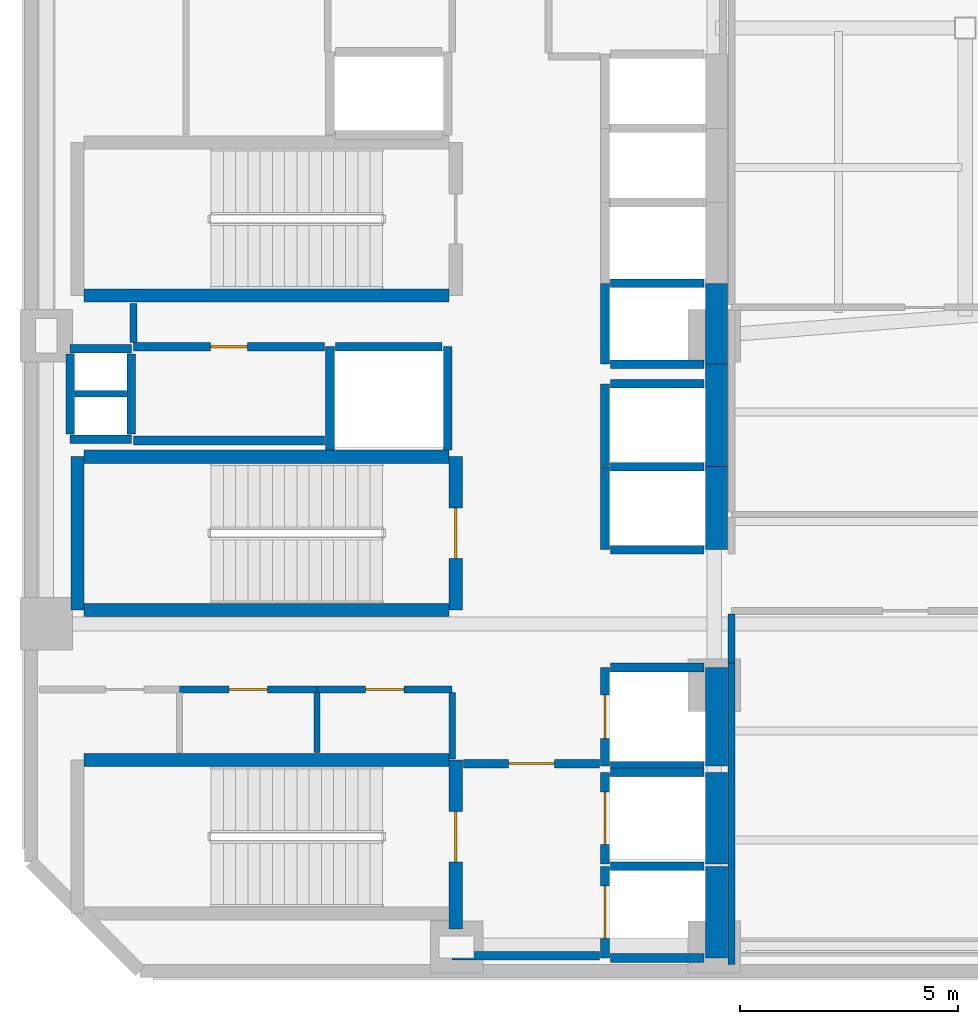
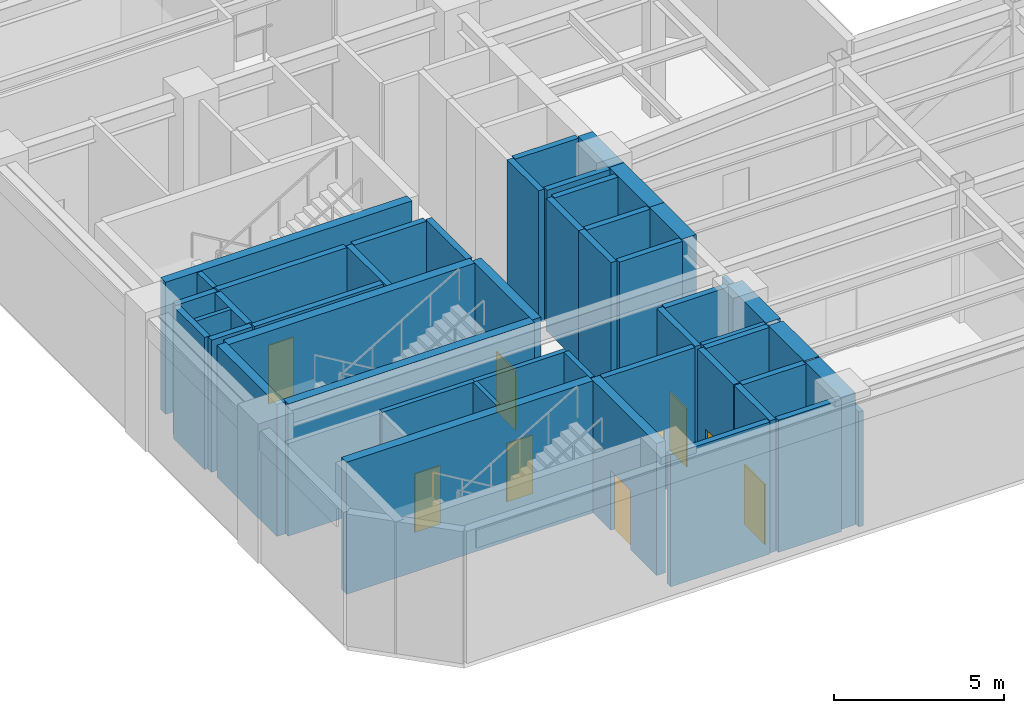
# One storey, part 3 of 9: 48 walls, 9 doors, 9 openings.
"""IFC4 building model written with IfcOpenShell, lengths in metres."""

from ifc_helpers import new_model, si_unit, direction, frame, frame_2d, origin, place, context, subcontext, project, spatial, rectangle, extrude, material, layer, layer_set, type_object, element, fill, save


model = new_model("IFC4")

# Units and contexts
model_context = context("Model", 3, precision=1e-05, world=origin(), true_north=direction((0.0, 1.0)))
body_context = subcontext(model_context, "Body", "Model", "MODEL_VIEW")
ifc_project = project(units=[si_unit("LENGTHUNIT", "METRE"), si_unit("AREAUNIT", "SQUARE_METRE"), si_unit("VOLUMEUNIT", "CUBIC_METRE"), si_unit("PLANEANGLEUNIT", "RADIAN"), si_unit("MASSUNIT", "GRAM", prefix="KILO")], contexts=[model_context])

# Site, building, storey
site_placement = place(None, origin())
site = spatial("IfcSite", under=ifc_project, at=site_placement, CompositionType="ELEMENT")
building_placement = place(site_placement, origin())
building = spatial("IfcBuilding", under=site, at=building_placement, Name="Mawjaban Terraces University", CompositionType="ELEMENT")
storey_placement = place(building_placement, frame((0.0, 0.0, 165.800048828125)))
storey = spatial("IfcBuildingStorey", under=building, at=storey_placement, Name="L40", CompositionType="ELEMENT", Elevation=165.800048828125)

# Walls
ifc_material_1 = material(Name="Concrete C60/75", Category="concrete")
ifc_layer_1 = layer(ifc_material_1, 0.5)
ifc_layer_set_1 = layer_set([ifc_layer_1], Name="Concrete C60/75")
wall_type_1 = type_object("IfcWallType", Name="CoreShearWall_500", PredefinedType="SHEAR", material=ifc_layer_set_1)
wall_1_placement = place(storey_placement, frame((37.699951171875, 0.300048828125, 0.0), z_axis=(0.0, 0.0, 1.0), x_axis=(0.0, 1.0, 0.0)))
element("IfcWall", 1, at=wall_1_placement, inside=storey, type_object=wall_type_1, Name="L40 Lift FL-1 Hoistway Wall East", PredefinedType="SHEAR", context=body_context, shape_type="SweptSolid", body=[
    extrude(rectangle(XDim=2.099853515625, YDim=0.5, at=frame_2d((1.0498046875, 0.0))), origin(), (0.0, 0.0, 1.0), 4.739990234375),
])
wall_2_placement = place(storey_placement, frame((37.699951171875, 2.449951171875, 0.0), z_axis=(0.0, 0.0, 1.0), x_axis=(0.0, 1.0, 0.0)))
element("IfcWall", 2, at=wall_2_placement, inside=storey, type_object=wall_type_1, Name="L40 Lift FL-2 Hoistway Wall East", PredefinedType="SHEAR", context=body_context, shape_type="SweptSolid", body=[
    extrude(rectangle(XDim=2.10009765625, YDim=0.5, at=frame_2d((1.050048828125, 0.0))), origin(), (0.0, 0.0, 1.0), 4.739990234375),
])
wall_3_placement = place(storey_placement, frame((37.699951171875, 4.699951171875, 0.0), z_axis=(0.0, 0.0, 1.0), x_axis=(0.0, 1.0, 0.0)))
element("IfcWall", 3, at=wall_3_placement, inside=storey, type_object=wall_type_1, Name="L40 Lift SL-1 Hoistway Wall East", PredefinedType="SHEAR", context=body_context, shape_type="SweptSolid", body=[
    extrude(rectangle(XDim=2.25, YDim=0.5, at=frame_2d((1.125, 0.0))), origin(), (0.0, 0.0, 1.0), 4.739990234375),
])
wall_4_placement = place(storey_placement, frame((37.699951171875, 9.64990234375, 0.0), z_axis=(0.0, 0.0, 1.0), x_axis=(0.0, 1.0, 0.0)))
element("IfcWall", 4, at=wall_4_placement, inside=storey, type_object=wall_type_1, Name="L40 Lift PL-H1 Hoistway Wall East", PredefinedType="SHEAR", context=body_context, shape_type="SweptSolid", body=[
    extrude(rectangle(XDim=1.900146484375, YDim=0.5, at=frame_2d((0.9501953125, 0.0))), origin(), (0.0, 0.0, 1.0), 4.739990234375),
])
wall_5_placement = place(storey_placement, frame((37.699951171875, 11.550048828125, 0.0), z_axis=(0.0, 0.0, 1.0), x_axis=(0.0, 1.0, 0.0)))
element("IfcWall", 5, at=wall_5_placement, inside=storey, type_object=wall_type_1, Name="L40 Lift PL-H2 Hoistway Wall East", PredefinedType="SHEAR", context=body_context, shape_type="SweptSolid", body=[
    extrude(rectangle(XDim=2.349853515625, YDim=0.5, at=frame_2d((1.1748046875, 0.0))), origin(), (0.0, 0.0, 1.0), 4.739990234375),
])
wall_6_placement = place(storey_placement, frame((37.699951171875, 13.89990234375, 0.0), z_axis=(0.0, 0.0, 1.0), x_axis=(0.0, 1.0, 0.0)))
element("IfcWall", 6, at=wall_6_placement, inside=storey, type_object=wall_type_1, Name="L40 Lift OL-1 Hoistway Wall East", PredefinedType="SHEAR", context=body_context, shape_type="SweptSolid", body=[
    extrude(rectangle(XDim=1.85009765625, YDim=0.5, at=frame_2d((0.925048828125, 0.0))), origin(), (0.0, 0.0, 1.0), 4.739990234375),
])

# Wall, opening, door
ifc_material_2 = material(Name="Fire-rated gypsum board on steel stud", Category="steel")
ifc_layer_2 = layer(ifc_material_2, 0.159912109375)
ifc_layer_set_2 = layer_set([ifc_layer_2], Name="Fire-rated gypsum board on steel stud")
wall_type_2 = type_object("IfcWallType", Name="CorridorPartition_160", PredefinedType="PARTITIONING", material=ifc_layer_set_2)
wall_7_placement = place(storey_placement, frame((25.39990234375, 6.449951171875, 0.0), z_axis=(0.0, 0.0, 1.0), x_axis=(1.0, 0.0, 0.0)))
wall_7 = element("IfcWall", 7, at=wall_7_placement, inside=storey, type_object=wall_type_2, Name="L40 Core Washroom Lobby Partition 4", PredefinedType="PARTITIONING", context=body_context, shape_type="SweptSolid", body=[
    extrude(rectangle(XDim=3.150146484375, YDim=0.159912109375, at=frame_2d((1.5751953125, 0.0))), origin(), (0.0, 0.0, 1.0), 4.739990234375),
])
opening_1_placement = place(wall_7_placement, frame((1.135009765625, 0.0, 0.0)))
opening_1 = element("IfcOpeningElement", 8, at=opening_1_placement, cuts=wall_7, Name="Opening ID-088", PredefinedType="OPENING", context=body_context, shape_type="SweptSolid", body=[
    extrude(rectangle(XDim=0.8798828125, YDim=2.10009765625, at=frame_2d((0.43994140625, 1.050048828125))), frame((0.0, 0.08984375, 0.0), z_axis=(0.0, -1.0, 0.0), x_axis=(1.0, 0.0, 0.0)), (0.0, 0.0, 1.0), 0.179931640625),
])
ifc_material_3 = material(Name="Powder-coated steel frame and solid acoustic timber leaf", Category="steel")
door_type_1 = type_object("IfcDoorType", Name="ToiletDoor_880x2100", OperationType="NOTDEFINED", PredefinedType="DOOR", material=ifc_material_3)
door_1_placement = place(opening_1_placement, origin())
door_1 = element("IfcDoor", 9, at=door_1_placement, inside=storey, type_object=door_type_1, Name="L40 Female Toilet Door", OperationType="SINGLE_SWING_RIGHT", OverallHeight=2.10009765625, OverallWidth=0.8798828125, PredefinedType="DOOR", context=body_context, shape_type="SweptSolid", body=[
    extrude(rectangle(XDim=0.8798828125, YDim=2.10009765625, at=frame_2d((0.43994140625, 1.050048828125))), frame((0.0, 0.02490234375, 0.0), z_axis=(0.0, -1.0, 0.0), x_axis=(1.0, 0.0, 0.0)), (0.0, 0.0, 1.0), 0.050048828125),
])
fill(opening_1, door_1)

wall_8_placement = place(storey_placement, frame((28.550048828125, 6.449951171875, 0.0), z_axis=(0.0, 0.0, 1.0), x_axis=(1.0, 0.0, 0.0)))
wall_8 = element("IfcWall", 10, at=wall_8_placement, inside=storey, type_object=wall_type_2, Name="L40 Core Washroom Lobby Partition 6", PredefinedType="PARTITIONING", context=body_context, shape_type="SweptSolid", body=[
    extrude(rectangle(XDim=3.099853515625, YDim=0.159912109375, at=frame_2d((1.5498046875, 0.0))), origin(), (0.0, 0.0, 1.0), 4.739990234375),
])
opening_2_placement = place(wall_8_placement, frame((1.110107421875, 0.0, 0.0)))
opening_2 = element("IfcOpeningElement", 11, at=opening_2_placement, cuts=wall_8, Name="Opening ID-088", PredefinedType="OPENING", context=body_context, shape_type="SweptSolid", body=[
    extrude(rectangle(XDim=0.8798828125, YDim=2.10009765625, at=frame_2d((0.43994140625, 1.050048828125))), frame((0.0, 0.08984375, 0.0), z_axis=(0.0, -1.0, 0.0), x_axis=(1.0, 0.0, 0.0)), (0.0, 0.0, 1.0), 0.179931640625),
])
door_2_placement = place(opening_2_placement, origin())
door_2 = element("IfcDoor", 12, at=door_2_placement, inside=storey, type_object=door_type_1, Name="L40 Accessible Toilet Door", OperationType="SINGLE_SWING_LEFT", OverallHeight=2.10009765625, OverallWidth=0.8798828125, PredefinedType="DOOR", context=body_context, shape_type="SweptSolid", body=[
    extrude(rectangle(XDim=0.8798828125, YDim=2.10009765625, at=frame_2d((0.43994140625, 1.050048828125))), frame((0.0, 0.02490234375, 0.0), z_axis=(0.0, -1.0, 0.0), x_axis=(1.0, 0.0, 0.0)), (0.0, 0.0, 1.0), 0.050048828125),
])
fill(opening_2, door_2)

# Walls
wall_9_placement = place(storey_placement, frame((24.35009765625, 15.2900390625, 0.0), z_axis=(0.0, 0.0, 1.0), x_axis=(0.0, -1.0, 0.0)))
element("IfcWall", 13, at=wall_9_placement, inside=storey, type_object=wall_type_2, Name="L40 Core Riser Access Passage Partition 22", PredefinedType="PARTITIONING", context=body_context, shape_type="SweptSolid", body=[
    extrude(rectangle(XDim=0.89501953125, YDim=0.159912109375, at=frame_2d((0.447509765625, 0.0))), origin(), (0.0, 0.0, 1.0), 4.739990234375),
])
wall_10_placement = place(storey_placement, frame((31.64990234375, 4.860107421875, 0.0), z_axis=(0.0, 0.0, 1.0), x_axis=(0.0, 1.0, 0.0)))
element("IfcWall", 14, at=wall_10_placement, inside=storey, type_object=wall_type_2, Name="L40 Accessible Toilet Partition 27", PredefinedType="PARTITIONING", context=body_context, shape_type="SweptSolid", body=[
    extrude(rectangle(XDim=1.514892578125, YDim=0.159912109375, at=frame_2d((0.75732421875, 0.0))), origin(), (0.0, 0.0, 1.0), 4.739990234375),
])
wall_11_placement = place(storey_placement, frame((38.050048828125, 7.050048828125, 0.0), z_axis=(0.0, 0.0, 1.0), x_axis=(0.0, 1.0, 0.0)))
element("IfcWall", 15, at=wall_11_placement, inside=storey, type_object=wall_type_2, Name="L40 Core Stair and Lift Lobby East Partition 36", PredefinedType="PARTITIONING", context=body_context, shape_type="SweptSolid", body=[
    extrude(rectangle(XDim=1.125, YDim=0.159912109375, at=frame_2d((0.5625, 0.0))), origin(), (0.0, 0.0, 1.0), 4.1240234375),
])
wall_12_placement = place(storey_placement, frame((38.050048828125, 7.050048828125, 0.0), z_axis=(0.0, 0.0, 1.0), x_axis=(0.0, -1.0, 0.0)))
element("IfcWall", 16, at=wall_12_placement, inside=storey, type_object=wall_type_2, Name="L40 Designated Smoke-Protected Refuge Area East Partition 37", PredefinedType="PARTITIONING", context=body_context, shape_type="SweptSolid", body=[
    extrude(rectangle(XDim=6.905029296875, YDim=0.159912109375, at=frame_2d((3.45263671875, 0.0))), origin(), (0.0, 0.0, 1.0), 4.1240234375),
])

# Wall, opening, door
ifc_material_4 = material(Name="Concrete C40/50", Category="concrete")
ifc_layer_3 = layer(ifc_material_4, 0.199951171875)
ifc_layer_set_3 = layer_set([ifc_layer_3], Name="Concrete C40/50")
wall_type_3 = type_object("IfcWallType", Name="FireLobbyWall_200", PredefinedType="SOLIDWALL", material=ifc_layer_set_3)
wall_13_placement = place(storey_placement, frame((35.14990234375, 2.39990234375, 0.0), z_axis=(0.0, 0.0, 1.0), x_axis=(0.0, -1.0, 0.0)))
wall_13 = element("IfcWall", 17, at=wall_13_placement, inside=storey, type_object=wall_type_3, Name="L40 Lift FL-1 Hoistway Wall West", PredefinedType="SOLIDWALL", context=body_context, shape_type="SweptSolid", body=[
    extrude(rectangle(XDim=2.099853515625, YDim=0.199951171875, at=frame_2d((1.0498046875, 0.0))), origin(), (0.0, 0.0, 1.0), 4.739990234375),
])
opening_3_placement = place(wall_13_placement, frame((0.449951171875, 0.0, 0.0)))
opening_3 = element("IfcOpeningElement", 18, at=opening_3_placement, cuts=wall_13, Name="Opening LD-FL-1", PredefinedType="OPENING", context=body_context, shape_type="SweptSolid", body=[
    extrude(rectangle(XDim=1.199951171875, YDim=2.14990234375, at=frame_2d((0.60009765625, 1.074951171875))), frame((0.0, 0.10986328125, 0.0), z_axis=(0.0, -1.0, 0.0), x_axis=(1.0, 0.0, 0.0)), (0.0, 0.0, 1.0), 0.219970703125),
])
ifc_material_5 = material(Name="Powder-coated steel frame and fire-rated steel-faced leaf", Category="steel")
door_type_2 = type_object("IfcDoorType", Name="LiftLandingFSAE_1200x2150", OperationType="NOTDEFINED", PredefinedType="DOOR", material=ifc_material_5)
door_3_placement = place(opening_3_placement, origin())
door_3 = element("IfcDoor", 19, at=door_3_placement, inside=storey, type_object=door_type_2, Name="L40 Lift FL-1 Sliding Landing Door", OperationType="DOUBLE_DOOR_SLIDING", OverallHeight=2.14990234375, OverallWidth=1.199951171875, PredefinedType="DOOR", context=body_context, shape_type="SweptSolid", body=[
    extrude(rectangle(XDim=1.199951171875, YDim=2.14990234375, at=frame_2d((0.60009765625, 1.074951171875))), frame((0.0, 0.02490234375, 0.0), z_axis=(0.0, -1.0, 0.0), x_axis=(1.0, 0.0, 0.0)), (0.0, 0.0, 1.0), 0.050048828125),
])
fill(opening_3, door_3)

# Walls
for number, where, z_axis, x_axis, name in (
    (20, (35.280029296875, 0.300048828125, 0.0), (0.0, 0.0, 1.0), (1.0, 0.0, 0.0), "L40 Lift FL-1 Hoistway Wall South"),
    (21, (37.419921875, 2.39990234375, 0.0), (0.0, 0.0, 1.0), (-1.0, 0.0, 0.0), "L40 Lift FL-1 Hoistway Wall North"),
):
    element("IfcWall", number, at=place(storey_placement, frame(where, z_axis=z_axis, x_axis=x_axis)), inside=storey, type_object=wall_type_3, Name=name, PredefinedType="SOLIDWALL", context=body_context, shape_type="SweptSolid", body=[
        extrude(rectangle(XDim=2.139892578125, YDim=0.199951171875, at=frame_2d((1.06982421875, 0.0))), origin(), (0.0, 0.0, 1.0), 4.739990234375),
    ])

# Wall, opening, door
wall_14_placement = place(storey_placement, frame((35.14990234375, 4.550048828125, 0.0), z_axis=(0.0, 0.0, 1.0), x_axis=(0.0, -1.0, 0.0)))
wall_14 = element("IfcWall", 22, at=wall_14_placement, inside=storey, type_object=wall_type_3, Name="L40 Lift FL-2 Hoistway Wall West", PredefinedType="SOLIDWALL", context=body_context, shape_type="SweptSolid", body=[
    extrude(rectangle(XDim=2.10009765625, YDim=0.199951171875, at=frame_2d((1.050048828125, 0.0))), origin(), (0.0, 0.0, 1.0), 4.739990234375),
])
opening_4_placement = place(wall_14_placement, frame((0.449951171875, 0.0, 0.0)))
opening_4 = element("IfcOpeningElement", 23, at=opening_4_placement, cuts=wall_14, Name="Opening LD-FL-2", PredefinedType="OPENING", context=body_context, shape_type="SweptSolid", body=[
    extrude(rectangle(XDim=1.199951171875, YDim=2.14990234375, at=frame_2d((0.60009765625, 1.074951171875))), frame((0.0, 0.10986328125, 0.0), z_axis=(0.0, -1.0, 0.0), x_axis=(1.0, 0.0, 0.0)), (0.0, 0.0, 1.0), 0.219970703125),
])
door_4_placement = place(opening_4_placement, origin())
door_4 = element("IfcDoor", 24, at=door_4_placement, inside=storey, type_object=door_type_2, Name="L40 Lift FL-2 Sliding Landing Door", OperationType="DOUBLE_DOOR_SLIDING", OverallHeight=2.14990234375, OverallWidth=1.199951171875, PredefinedType="DOOR", context=body_context, shape_type="SweptSolid", body=[
    extrude(rectangle(XDim=1.199951171875, YDim=2.14990234375, at=frame_2d((0.60009765625, 1.074951171875))), frame((0.0, 0.02490234375, 0.0), z_axis=(0.0, -1.0, 0.0), x_axis=(1.0, 0.0, 0.0)), (0.0, 0.0, 1.0), 0.050048828125),
])
fill(opening_4, door_4)

# Wall
wall_15_placement = place(storey_placement, frame((37.419921875, 4.550048828125, 0.0), z_axis=(0.0, 0.0, 1.0), x_axis=(-1.0, 0.0, 0.0)))
element("IfcWall", 25, at=wall_15_placement, inside=storey, type_object=wall_type_3, Name="L40 Lift FL-2 Hoistway Wall North", PredefinedType="SOLIDWALL", context=body_context, shape_type="SweptSolid", body=[
    extrude(rectangle(XDim=2.139892578125, YDim=0.199951171875, at=frame_2d((1.06982421875, 0.0))), origin(), (0.0, 0.0, 1.0), 4.739990234375),
])

# Wall, opening, door
wall_16_placement = place(storey_placement, frame((35.14990234375, 6.949951171875, 0.0), z_axis=(0.0, 0.0, 1.0), x_axis=(0.0, -1.0, 0.0)))
wall_16 = element("IfcWall", 26, at=wall_16_placement, inside=storey, type_object=wall_type_3, Name="L40 Lift SL-1 Hoistway Wall West", PredefinedType="SOLIDWALL", context=body_context, shape_type="SweptSolid", body=[
    extrude(rectangle(XDim=2.25, YDim=0.199951171875, at=frame_2d((1.125, 0.0))), origin(), (0.0, 0.0, 1.0), 4.739990234375),
])
opening_5_placement = place(wall_16_placement, frame((0.625, 0.0, 0.0)))
opening_5 = element("IfcOpeningElement", 27, at=opening_5_placement, cuts=wall_16, Name="Opening LD-SL-1", PredefinedType="OPENING", context=body_context, shape_type="SweptSolid", body=[
    extrude(rectangle(XDim=1.0, YDim=2.10009765625, at=frame_2d((0.5, 1.050048828125))), frame((0.0, 0.10986328125, 0.0), z_axis=(0.0, -1.0, 0.0), x_axis=(1.0, 0.0, 0.0)), (0.0, 0.0, 1.0), 0.219970703125),
])
door_type_3 = type_object("IfcDoorType", Name="LiftLandingSliding_1000x2100", OperationType="NOTDEFINED", PredefinedType="DOOR", material=ifc_material_5)
door_5_placement = place(opening_5_placement, origin())
door_5 = element("IfcDoor", 28, at=door_5_placement, inside=storey, type_object=door_type_3, Name="L40 Lift SL-1 Sliding Landing Door", OperationType="DOUBLE_DOOR_SLIDING", OverallHeight=2.10009765625, OverallWidth=1.0, PredefinedType="DOOR", context=body_context, shape_type="SweptSolid", body=[
    extrude(rectangle(XDim=1.0, YDim=2.10009765625, at=frame_2d((0.5, 1.050048828125))), frame((0.0, 0.02490234375, 0.0), z_axis=(0.0, -1.0, 0.0), x_axis=(1.0, 0.0, 0.0)), (0.0, 0.0, 1.0), 0.050048828125),
])
fill(opening_5, door_5)

# Walls
for number, where, z_axis, x_axis, name in (
    (29, (35.280029296875, 4.699951171875, 0.0), (0.0, 0.0, 1.0), (1.0, 0.0, 0.0), "L40 Lift SL-1 Hoistway Wall South"),
    (30, (37.419921875, 6.949951171875, 0.0), (0.0, 0.0, 1.0), (-1.0, 0.0, 0.0), "L40 Lift SL-1 Hoistway Wall North"),
):
    element("IfcWall", number, at=place(storey_placement, frame(where, z_axis=z_axis, x_axis=x_axis)), inside=storey, type_object=wall_type_3, Name=name, PredefinedType="SOLIDWALL", context=body_context, shape_type="SweptSolid", body=[
        extrude(rectangle(XDim=2.139892578125, YDim=0.199951171875, at=frame_2d((1.06982421875, 0.0))), origin(), (0.0, 0.0, 1.0), 4.739990234375),
    ])
wall_17_placement = place(storey_placement, frame((35.14990234375, 11.550048828125, 0.0), z_axis=(0.0, 0.0, 1.0), x_axis=(0.0, -1.0, 0.0)))
element("IfcWall", 31, at=wall_17_placement, inside=storey, type_object=wall_type_3, Name="L40 Lift PL-H1 Hoistway Wall West", PredefinedType="SOLIDWALL", context=body_context, shape_type="SweptSolid", body=[
    extrude(rectangle(XDim=1.900146484375, YDim=0.199951171875, at=frame_2d((0.9501953125, 0.0))), origin(), (0.0, 0.0, 1.0), 4.739990234375),
])
for number, where, z_axis, x_axis, name in (
    (32, (35.280029296875, 9.64990234375, 0.0), (0.0, 0.0, 1.0), (1.0, 0.0, 0.0), "L40 Lift PL-H1 Hoistway Wall South"),
    (33, (37.419921875, 11.550048828125, 0.0), (0.0, 0.0, 1.0), (-1.0, 0.0, 0.0), "L40 Lift PL-H1 Hoistway Wall North"),
):
    element("IfcWall", number, at=place(storey_placement, frame(where, z_axis=z_axis, x_axis=x_axis)), inside=storey, type_object=wall_type_3, Name=name, PredefinedType="SOLIDWALL", context=body_context, shape_type="SweptSolid", body=[
        extrude(rectangle(XDim=2.139892578125, YDim=0.199951171875, at=frame_2d((1.06982421875, 0.0))), origin(), (0.0, 0.0, 1.0), 4.739990234375),
    ])
wall_18_placement = place(storey_placement, frame((35.14990234375, 13.449951171875, 0.0), z_axis=(0.0, 0.0, 1.0), x_axis=(0.0, -1.0, 0.0)))
element("IfcWall", 34, at=wall_18_placement, inside=storey, type_object=wall_type_3, Name="L40 Lift PL-H2 Hoistway Wall West", PredefinedType="SOLIDWALL", context=body_context, shape_type="SweptSolid", body=[
    extrude(rectangle(XDim=1.89990234375, YDim=0.199951171875, at=frame_2d((0.949951171875, 0.0))), origin(), (0.0, 0.0, 1.0), 4.739990234375),
])
wall_19_placement = place(storey_placement, frame((37.419921875, 13.449951171875, 0.0), z_axis=(0.0, 0.0, 1.0), x_axis=(-1.0, 0.0, 0.0)))
element("IfcWall", 35, at=wall_19_placement, inside=storey, type_object=wall_type_3, Name="L40 Lift PL-H2 Hoistway Wall North", PredefinedType="SOLIDWALL", context=body_context, shape_type="SweptSolid", body=[
    extrude(rectangle(XDim=2.139892578125, YDim=0.199951171875, at=frame_2d((1.06982421875, 0.0))), origin(), (0.0, 0.0, 1.0), 4.739990234375),
])
for number, where, z_axis, x_axis, name in (
    (36, (28.85009765625, 14.300048828125, 0.0), (0.0, 0.0, 1.0), (0.0, -1.0, 0.0), "L40 Lift PL-H3 Hoistway Wall West"),
    (37, (31.550048828125, 11.929931640625, 0.0), (0.0, 0.0, 1.0), (0.0, 1.0, 0.0), "L40 Lift PL-H3 Hoistway Wall East"),
):
    element("IfcWall", number, at=place(storey_placement, frame(where, z_axis=z_axis, x_axis=x_axis)), inside=storey, type_object=wall_type_3, Name=name, PredefinedType="SOLIDWALL", context=body_context, shape_type="SweptSolid", body=[
        extrude(rectangle(XDim=2.3701171875, YDim=0.199951171875, at=frame_2d((1.18505859375, 0.0))), origin(), (0.0, 0.0, 1.0), 4.739990234375),
    ])
wall_20_placement = place(storey_placement, frame((31.419921875, 14.300048828125, 0.0), z_axis=(0.0, 0.0, 1.0), x_axis=(-1.0, 0.0, 0.0)))
element("IfcWall", 38, at=wall_20_placement, inside=storey, type_object=wall_type_3, Name="L40 Lift PL-H3 Hoistway Wall North", PredefinedType="SOLIDWALL", context=body_context, shape_type="SweptSolid", body=[
    extrude(rectangle(XDim=2.43994140625, YDim=0.199951171875, at=frame_2d((1.219970703125, 0.0))), origin(), (0.0, 0.0, 1.0), 4.739990234375),
])
wall_21_placement = place(storey_placement, frame((35.14990234375, 15.75, 0.0), z_axis=(0.0, 0.0, 1.0), x_axis=(0.0, -1.0, 0.0)))
element("IfcWall", 39, at=wall_21_placement, inside=storey, type_object=wall_type_3, Name="L40 Lift OL-1 Hoistway Wall West", PredefinedType="SOLIDWALL", context=body_context, shape_type="SweptSolid", body=[
    extrude(rectangle(XDim=1.85009765625, YDim=0.199951171875, at=frame_2d((0.925048828125, 0.0))), origin(), (0.0, 0.0, 1.0), 4.739990234375),
])
for number, where, z_axis, x_axis, name in (
    (40, (35.280029296875, 13.89990234375, 0.0), (0.0, 0.0, 1.0), (1.0, 0.0, 0.0), "L40 Lift OL-1 Hoistway Wall South"),
    (41, (37.419921875, 15.75, 0.0), (0.0, 0.0, 1.0), (-1.0, 0.0, 0.0), "L40 Lift OL-1 Hoistway Wall North"),
):
    element("IfcWall", number, at=place(storey_placement, frame(where, z_axis=z_axis, x_axis=x_axis)), inside=storey, type_object=wall_type_3, Name=name, PredefinedType="SOLIDWALL", context=body_context, shape_type="SweptSolid", body=[
        extrude(rectangle(XDim=2.139892578125, YDim=0.199951171875, at=frame_2d((1.06982421875, 0.0))), origin(), (0.0, 0.0, 1.0), 4.739990234375),
    ])
for number, where, z_axis, x_axis, name in (
    (42, (22.89990234375, 14.25, 0.0), (0.0, 0.0, 1.0), (1.0, 0.0, 0.0), "L40 MEP Riser Shaft Wall N"),
    (43, (22.89990234375, 12.179931640625, 0.0), (0.0, 0.0, 1.0), (1.0, 0.0, 0.0), "L40 MEP Riser Shaft Wall S"),
):
    element("IfcWall", number, at=place(storey_placement, frame(where, z_axis=z_axis, x_axis=x_axis)), inside=storey, type_object=wall_type_3, Name=name, PredefinedType="SOLIDWALL", context=body_context, shape_type="SweptSolid", body=[
        extrude(rectangle(XDim=1.400146484375, YDim=0.199951171875, at=frame_2d((0.7001953125, 0.0))), origin(), (0.0, 0.0, 1.0), 4.739990234375),
    ])
for number, where, z_axis, x_axis, name in (
    (44, (24.300048828125, 12.300048828125, 0.0), (0.0, 0.0, 1.0), (0.0, 1.0, 0.0), "L40 MEP Riser Shaft Wall E"),
    (45, (22.89990234375, 12.300048828125, 0.0), (0.0, 0.0, 1.0), (0.0, 1.0, 0.0), "L40 MEP Riser Shaft Wall W"),
):
    element("IfcWall", number, at=place(storey_placement, frame(where, z_axis=z_axis, x_axis=x_axis)), inside=storey, type_object=wall_type_3, Name=name, PredefinedType="SOLIDWALL", context=body_context, shape_type="SweptSolid", body=[
        extrude(rectangle(XDim=1.829833984375, YDim=0.199951171875, at=frame_2d((0.9150390625, 0.0))), origin(), (0.0, 0.0, 1.0), 4.739990234375),
    ])
wall_22_placement = place(storey_placement, frame((24.35009765625, 12.14990234375, 0.0), z_axis=(0.0, 0.0, 1.0), x_axis=(1.0, 0.0, 0.0)))
element("IfcWall", 46, at=wall_22_placement, inside=storey, type_object=wall_type_3, Name="L40 IT and Telecoms Riser Room Partition 2", PredefinedType="SOLIDWALL", context=body_context, shape_type="SweptSolid", body=[
    extrude(rectangle(XDim=4.369873046875, YDim=0.199951171875, at=frame_2d((2.18505859375, 0.0))), origin(), (0.0, 0.0, 1.0), 4.739990234375),
])

# Wall, opening, door
wall_23_placement = place(storey_placement, frame((24.35009765625, 14.300048828125, 0.0), z_axis=(0.0, 0.0, 1.0), x_axis=(1.0, 0.0, 0.0)))
wall_23 = element("IfcWall", 47, at=wall_23_placement, inside=storey, type_object=wall_type_3, Name="L40 Core Riser Access Passage Partition 3", PredefinedType="SOLIDWALL", context=body_context, shape_type="SweptSolid", body=[
    extrude(rectangle(XDim=4.369873046875, YDim=0.199951171875, at=frame_2d((2.18505859375, 0.0))), origin(), (0.0, 0.0, 1.0), 4.739990234375),
])
opening_6_placement = place(wall_23_placement, frame((1.760009765625, 0.0, 0.0)))
opening_6 = element("IfcOpeningElement", 48, at=opening_6_placement, cuts=wall_23, Name="Opening FD-085", PredefinedType="OPENING", context=body_context, shape_type="SweptSolid", body=[
    extrude(rectangle(XDim=0.85009765625, YDim=2.10009765625, at=frame_2d((0.425048828125, 1.050048828125))), frame((0.0, 0.10986328125, 0.0), z_axis=(0.0, -1.0, 0.0), x_axis=(1.0, 0.0, 0.0)), (0.0, 0.0, 1.0), 0.219970703125),
])
door_type_4 = type_object("IfcDoorType", Name="FireRiserDoor_850x2100", OperationType="NOTDEFINED", PredefinedType="DOOR", material=ifc_material_5)
door_6_placement = place(opening_6_placement, origin())
door_6 = element("IfcDoor", 49, at=door_6_placement, inside=storey, type_object=door_type_4, Name="L40 IT and Telecoms Riser Room Door", OperationType="SINGLE_SWING_RIGHT", OverallHeight=2.10009765625, OverallWidth=0.85009765625, PredefinedType="DOOR", context=body_context, shape_type="SweptSolid", body=[
    extrude(rectangle(XDim=0.85009765625, YDim=2.10009765625, at=frame_2d((0.425048828125, 1.050048828125))), frame((0.0, 0.02490234375, 0.0), z_axis=(0.0, -1.0, 0.0), x_axis=(1.0, 0.0, 0.0)), (0.0, 0.0, 1.0), 0.050048828125),
])
fill(opening_6, door_6)

# Wall
wall_24_placement = place(storey_placement, frame((31.64990234375, 0.35009765625, 0.0), z_axis=(0.0, 0.0, 1.0), x_axis=(1.0, 0.0, 0.0)))
element("IfcWall", 50, at=wall_24_placement, inside=storey, type_object=wall_type_3, Name="L40 Firefighting Lift Lobby Partition 8", PredefinedType="SOLIDWALL", context=body_context, shape_type="SweptSolid", body=[
    extrude(rectangle(XDim=3.3701171875, YDim=0.199951171875, at=frame_2d((1.68505859375, 0.0))), origin(), (0.0, 0.0, 1.0), 4.739990234375),
])

# Wall, opening, door
wall_25_placement = place(storey_placement, frame((35.02001953125, 4.75, 0.0), z_axis=(0.0, 0.0, 1.0), x_axis=(-1.0, 0.0, 0.0)))
wall_25 = element("IfcWall", 51, at=wall_25_placement, inside=storey, type_object=wall_type_3, Name="L40 Firefighting Lift Lobby Partition 12", PredefinedType="SOLIDWALL", context=body_context, shape_type="SweptSolid", body=[
    extrude(rectangle(XDim=3.110107421875, YDim=0.199951171875, at=frame_2d((1.55517578125, 0.0))), origin(), (0.0, 0.0, 1.0), 4.739990234375),
])
opening_7_placement = place(wall_25_placement, frame((1.030029296875, 0.0, 0.0)))
opening_7 = element("IfcOpeningElement", 52, at=opening_7_placement, cuts=wall_25, Name="Opening FD-105", PredefinedType="OPENING", context=body_context, shape_type="SweptSolid", body=[
    extrude(rectangle(XDim=1.050048828125, YDim=2.14990234375, at=frame_2d((0.52490234375, 1.074951171875))), frame((0.0, 0.10986328125, 0.0), z_axis=(0.0, -1.0, 0.0), x_axis=(1.0, 0.0, 0.0)), (0.0, 0.0, 1.0), 0.219970703125),
])
door_type_5 = type_object("IfcDoorType", Name="FireLobbyDoor_1050x2150", OperationType="NOTDEFINED", PredefinedType="DOOR", material=ifc_material_5)
door_7_placement = place(opening_7_placement, origin())
door_7 = element("IfcDoor", 53, at=door_7_placement, inside=storey, type_object=door_type_5, Name="L40 Firefighting Lift Lobby Door", OperationType="SINGLE_SWING_RIGHT", OverallHeight=2.14990234375, OverallWidth=1.050048828125, PredefinedType="DOOR", context=body_context, shape_type="SweptSolid", body=[
    extrude(rectangle(XDim=1.050048828125, YDim=2.14990234375, at=frame_2d((0.52490234375, 1.074951171875))), frame((0.0, 0.02490234375, 0.0), z_axis=(0.0, -1.0, 0.0), x_axis=(1.0, 0.0, 0.0)), (0.0, 0.0, 1.0), 0.050048828125),
])
fill(opening_7, door_7)

# Walls
ifc_material_6 = material(Name="Moisture-resistant gypsum board on steel stud", Category="steel")
ifc_layer_4 = layer(ifc_material_6, 0.14501953125)
ifc_layer_set_4 = layer_set([ifc_layer_4], Name="Moisture-resistant gypsum board on steel stud")
wall_type_4 = type_object("IfcWallType", Name="LabPartition_145", PredefinedType="PARTITIONING", material=ifc_layer_set_4)
wall_26_placement = place(storey_placement, frame((23.010009765625, 13.22509765625, 0.0), z_axis=(0.0, 0.0, 1.0), x_axis=(1.0, 0.0, 0.0)))
element("IfcWall", 54, at=wall_26_placement, inside=storey, type_object=wall_type_4, Name="L40 MEP Riser Shaft Wall M", PredefinedType="PARTITIONING", context=body_context, shape_type="SweptSolid", body=[
    extrude(rectangle(XDim=1.179931640625, YDim=0.14501953125, at=frame_2d((0.58984375, 0.0))), origin(), (0.0, 0.0, 1.0), 4.739990234375),
])
ifc_layer_5 = layer(ifc_material_1, 0.300048828125)
ifc_layer_set_5 = layer_set([ifc_layer_5], Name="Concrete C60/75")
wall_type_5 = type_object("IfcWallType", Name="StairShaftWall_300", PredefinedType="SHEAR", material=ifc_layer_set_5)
wall_27_placement = place(storey_placement, frame((31.580078125, 4.830078125, 0.0), z_axis=(0.0, 0.0, 1.0), x_axis=(-1.0, 0.0, 0.0)))
element("IfcWall", 55, at=wall_27_placement, inside=storey, type_object=wall_type_5, Name="L40 ST-1 Stair Shaft Wall 1", PredefinedType="SHEAR", context=body_context, shape_type="SweptSolid", body=[
    extrude(rectangle(XDim=8.360107421875, YDim=0.300048828125, at=frame_2d((4.18017578125, 0.0))), origin(), (0.0, 0.0, 1.0), 4.739990234375),
])

# Wall, opening, door
wall_28_placement = place(storey_placement, frame((31.72998046875, 0.9599609375, 0.0), z_axis=(0.0, 0.0, 1.0), x_axis=(0.0, 1.0, 0.0)))
wall_28 = element("IfcWall", 56, at=wall_28_placement, inside=storey, type_object=wall_type_5, Name="L40 ST-1 Stair Shaft Wall 4", PredefinedType="SHEAR", context=body_context, shape_type="SweptSolid", body=[
    extrude(rectangle(XDim=3.8701171875, YDim=0.300048828125, at=frame_2d((1.93505859375, 0.0))), origin(), (0.0, 0.0, 1.0), 4.739990234375),
])
opening_8_placement = place(wall_28_placement, frame((1.5400390625, 0.0, 0.0)))
opening_8 = element("IfcOpeningElement", 57, at=opening_8_placement, cuts=wall_28, Name="Opening FD-115", PredefinedType="OPENING", context=body_context, shape_type="SweptSolid", body=[
    extrude(rectangle(XDim=1.14990234375, YDim=2.14990234375, at=frame_2d((0.574951171875, 1.074951171875))), frame((0.0, 0.159912109375, 0.0), z_axis=(0.0, -1.0, 0.0), x_axis=(1.0, 0.0, 0.0)), (0.0, 0.0, 1.0), 0.320068359375),
])
door_type_6 = type_object("IfcDoorType", Name="FireStairDoor_1150x2150", OperationType="NOTDEFINED", PredefinedType="DOOR", material=ifc_material_5)
door_8_placement = place(opening_8_placement, origin())
door_8 = element("IfcDoor", 58, at=door_8_placement, inside=storey, type_object=door_type_6, Name="L40 ST-1 Pressurised Stair Fire Door", OperationType="SINGLE_SWING_LEFT", OverallHeight=2.14990234375, OverallWidth=1.14990234375, PredefinedType="DOOR", context=body_context, shape_type="SweptSolid", body=[
    extrude(rectangle(XDim=1.14990234375, YDim=2.14990234375, at=frame_2d((0.574951171875, 1.074951171875))), frame((0.0, 0.02490234375, 0.0), z_axis=(0.0, -1.0, 0.0), x_axis=(1.0, 0.0, 0.0)), (0.0, 0.0, 1.0), 0.050048828125),
])
fill(opening_8, door_8)

# Walls
for number, where, z_axis, x_axis, name in (
    (59, (23.219970703125, 15.469970703125, 0.0), (0.0, 0.0, 1.0), (1.0, 0.0, 0.0), "L40 ST-2 Stair Shaft Wall 3"),
    (60, (31.580078125, 11.780029296875, 0.0), (0.0, 0.0, 1.0), (-1.0, 0.0, 0.0), "L40 ST-3 Stair Shaft Wall 1"),
):
    element("IfcWall", number, at=place(storey_placement, frame(where, z_axis=z_axis, x_axis=x_axis)), inside=storey, type_object=wall_type_5, Name=name, PredefinedType="SHEAR", context=body_context, shape_type="SweptSolid", body=[
        extrude(rectangle(XDim=8.360107421875, YDim=0.300048828125, at=frame_2d((4.18017578125, 0.0))), origin(), (0.0, 0.0, 1.0), 4.739990234375),
    ])
wall_29_placement = place(storey_placement, frame((23.070068359375, 11.780029296875, 0.0), z_axis=(0.0, 0.0, 1.0), x_axis=(0.0, -1.0, 0.0)))
element("IfcWall", 61, at=wall_29_placement, inside=storey, type_object=wall_type_5, Name="L40 ST-3 Stair Shaft Wall 2", PredefinedType="SHEAR", context=body_context, shape_type="SweptSolid", body=[
    extrude(rectangle(XDim=3.510009765625, YDim=0.300048828125, at=frame_2d((1.7548828125, 0.0))), origin(), (0.0, 0.0, 1.0), 4.739990234375),
])
wall_30_placement = place(storey_placement, frame((23.219970703125, 8.27001953125, 0.0), z_axis=(0.0, 0.0, 1.0), x_axis=(1.0, 0.0, 0.0)))
element("IfcWall", 62, at=wall_30_placement, inside=storey, type_object=wall_type_5, Name="L40 ST-3 Stair Shaft Wall 3", PredefinedType="SHEAR", context=body_context, shape_type="SweptSolid", body=[
    extrude(rectangle(XDim=8.360107421875, YDim=0.300048828125, at=frame_2d((4.18017578125, 0.0))), origin(), (0.0, 0.0, 1.0), 4.739990234375),
])

# Wall, opening, door
wall_31_placement = place(storey_placement, frame((31.72998046875, 8.27001953125, 0.0), z_axis=(0.0, 0.0, 1.0), x_axis=(0.0, 1.0, 0.0)))
wall_31 = element("IfcWall", 63, at=wall_31_placement, inside=storey, type_object=wall_type_5, Name="L40 ST-3 Stair Shaft Wall 4", PredefinedType="SHEAR", context=body_context, shape_type="SweptSolid", body=[
    extrude(rectangle(XDim=3.510009765625, YDim=0.300048828125, at=frame_2d((1.7548828125, 0.0))), origin(), (0.0, 0.0, 1.0), 4.739990234375),
])
opening_9_placement = place(wall_31_placement, frame((1.179931640625, 0.0, 0.0)))
opening_9 = element("IfcOpeningElement", 64, at=opening_9_placement, cuts=wall_31, Name="Opening FD-115", PredefinedType="OPENING", context=body_context, shape_type="SweptSolid", body=[
    extrude(rectangle(XDim=1.14990234375, YDim=2.14990234375, at=frame_2d((0.574951171875, 1.074951171875))), frame((0.0, 0.159912109375, 0.0), z_axis=(0.0, -1.0, 0.0), x_axis=(1.0, 0.0, 0.0)), (0.0, 0.0, 1.0), 0.320068359375),
])
door_9_placement = place(opening_9_placement, origin())
door_9 = element("IfcDoor", 65, at=door_9_placement, inside=storey, type_object=door_type_6, Name="L40 ST-3 Pressurised Stair Fire Door", OperationType="SINGLE_SWING_LEFT", OverallHeight=2.14990234375, OverallWidth=1.14990234375, PredefinedType="DOOR", context=body_context, shape_type="SweptSolid", body=[
    extrude(rectangle(XDim=1.14990234375, YDim=2.14990234375, at=frame_2d((0.574951171875, 1.074951171875))), frame((0.0, 0.02490234375, 0.0), z_axis=(0.0, -1.0, 0.0), x_axis=(1.0, 0.0, 0.0)), (0.0, 0.0, 1.0), 0.050048828125),
])
fill(opening_9, door_9)

# Wall
ifc_material_7 = material(Name="Cement-board wet-room partition", Category="masonry")
ifc_layer_6 = layer(ifc_material_7, 0.135009765625)
ifc_layer_set_6 = layer_set([ifc_layer_6], Name="Cement-board wet-room partition")
wall_type_6 = type_object("IfcWallType", Name="WetRoomPartition_135", PredefinedType="PARTITIONING", material=ifc_layer_set_6)
wall_32_placement = place(storey_placement, frame((28.550048828125, 5.010009765625, 0.0), z_axis=(0.0, 0.0, 1.0), x_axis=(0.0, 1.0, 0.0)))
element("IfcWall", 66, at=wall_32_placement, inside=storey, type_object=wall_type_6, Name="L40 Female Toilet Partition 25", PredefinedType="PARTITIONING", context=body_context, shape_type="SweptSolid", body=[
    extrude(rectangle(XDim=1.364990234375, YDim=0.135009765625, at=frame_2d((0.6826171875, 0.0))), origin(), (0.0, 0.0, 1.0), 4.739990234375),
])

save(model, "model.ifc")
